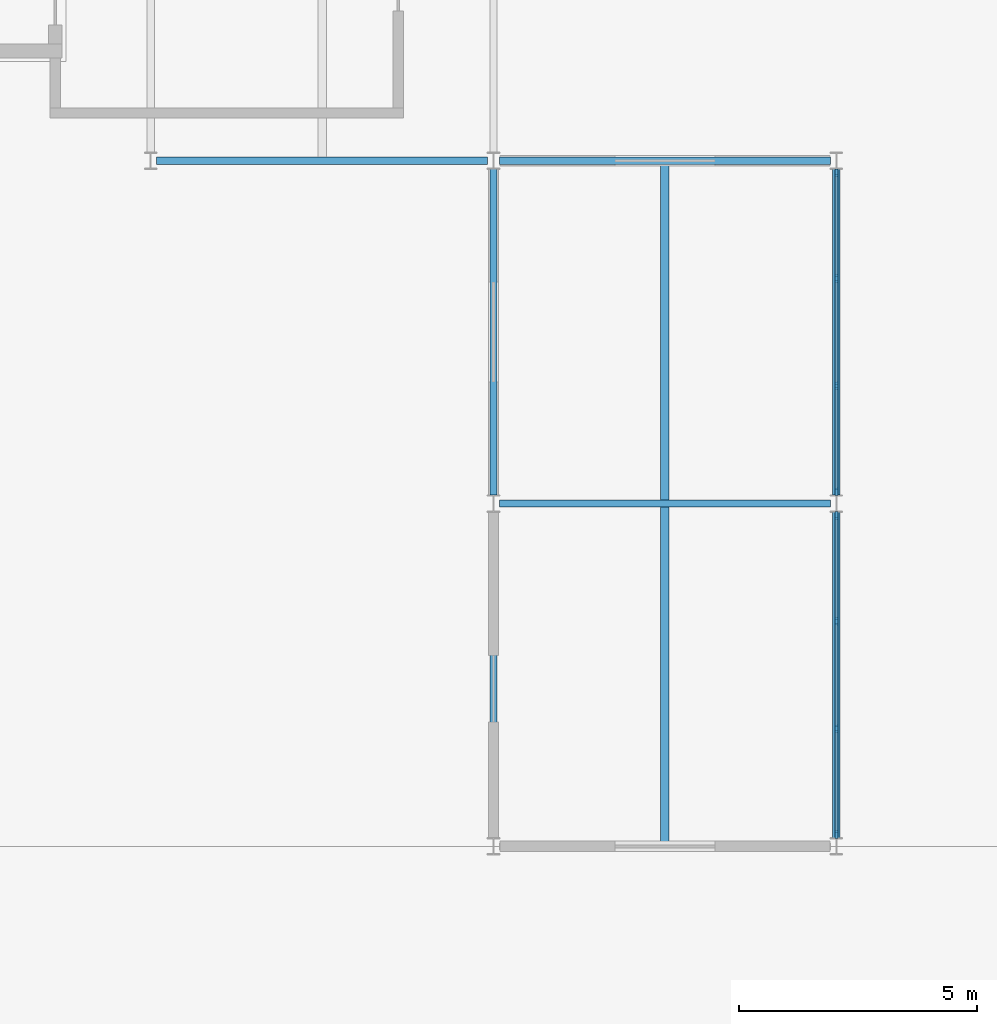
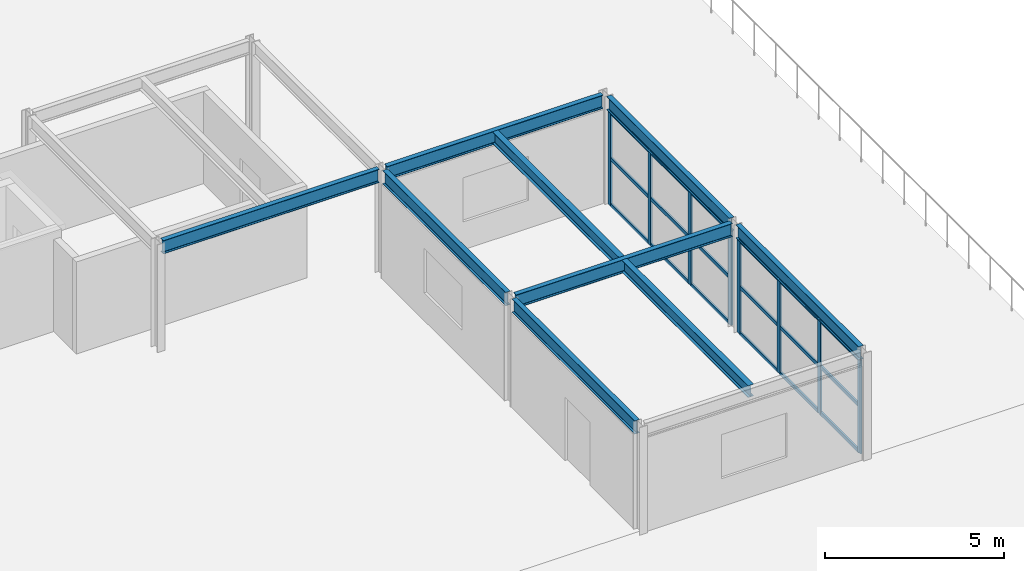
# One storey, part 24 of 52: 26 members, 9 beams, 2 elements without a shape of their own.
"""IFC4 building model written with IfcOpenShell, lengths in metres."""

from ifc_helpers import new_model, si_unit, direction, frame, origin, origin_2d, place, context, subcontext, project, spatial, rectangle, i_section, extrude, material, material_profile, profile_set, type_object, element, aggregate, save


model = new_model("IFC4")

# Units and contexts
model_context = context("Model", 3, precision=1e-05, world=origin(), true_north=direction((0.0, 1.0)))
body_context = subcontext(model_context, "Body", "Model", "MODEL_VIEW")
ifc_project = project(units=[si_unit("LENGTHUNIT", "METRE"), si_unit("AREAUNIT", "SQUARE_METRE"), si_unit("VOLUMEUNIT", "CUBIC_METRE"), si_unit("PLANEANGLEUNIT", "RADIAN"), si_unit("MASSUNIT", "GRAM", prefix="KILO")], contexts=[model_context])

# Site, building, storey
site_placement = place(None, origin())
site = spatial("IfcSite", under=ifc_project, at=site_placement, CompositionType="ELEMENT")
building_placement = place(site_placement, origin())
building = spatial("IfcBuilding", under=site, at=building_placement, Name="Vaelcorin Mobility Hub", CompositionType="ELEMENT")
storey_placement = place(building_placement, frame((0.0, 0.0, 13.199951171875)))
storey = spatial("IfcBuildingStorey", under=building, at=storey_placement, Name="L03", CompositionType="ELEMENT", Elevation=13.199951171875)

# Beams
ifc_material_1 = material(Name="Steel ASTM A992 Grade 50", Category="steel")
ifc_material_profile_1 = material_profile(ifc_material_1, i_section(OverallWidth=0.177978515625, OverallDepth=0.404052734375, WebThickness=0.007568359375, FlangeThickness=0.010986328125, FilletRadius=0.012939453125, at=origin_2d()), Name="W16X36")
ifc_profile_set_1 = profile_set([ifc_material_profile_1], Name="Steel ASTM A992 Grade 50")
beam_type_1 = type_object("IfcBeamType", Name="BM-W16X36", PredefinedType="JOIST", material=ifc_profile_set_1)
for number, where, z_axis, x_axis, name in (
    (1, (178.800048828125, 84.073974609375, 3.4580078125), (0.0, 1.0, 0.0), (-1.0, 0.0, 0.0), "L03 Beam V5GPAVN-L03-J-01-01-1"),
    (2, (178.800048828125, 91.27392578125, 3.4580078125), (0.0, 1.0, 0.0), (-1.0, 0.0, 0.0), "L03 Beam V5GPAVN-L03-J-01-02-1"),
):
    element("IfcBeam", number, at=place(storey_placement, frame(where, z_axis=z_axis, x_axis=x_axis)), inside=storey, type_object=beam_type_1, Name=name, PredefinedType="JOIST", context=body_context, shape_type="SweptSolid", body=[
        extrude(i_section(OverallWidth=0.177978515625, OverallDepth=0.404052734375, WebThickness=0.007568359375, FlangeThickness=0.010986328125, FilletRadius=0.012939453125, at=origin_2d()), origin(), (0.0, 0.0, 1.0), 7.052001953125),
    ])
ifc_material_profile_2 = material_profile(ifc_material_1, i_section(OverallWidth=0.152099609375, OverallDepth=0.455078125, WebThickness=0.008056640625, FlangeThickness=0.01318359375, FilletRadius=0.012939453125, at=origin_2d()), Name="W18X40")
ifc_profile_set_2 = profile_set([ifc_material_profile_2], Name="Steel ASTM A992 Grade 50")
beam_type_2 = type_object("IfcBeamType", Name="BM-W18X40", PredefinedType="JOIST", material=ifc_profile_set_2)
for number, where, z_axis, x_axis, name in (
    (3, (175.324951171875, 91.199951171875, 3.43212890625), (1.0, 0.0, 0.0), (0.0, 1.0, 0.0), "L03 Beam V5GPAVN-L03-GX-02-01"),
    (4, (175.324951171875, 98.39990234375, 3.43212890625), (1.0, 0.0, 0.0), (0.0, 1.0, 0.0), "L03 Beam V5GPAVN-L03-GX-03-01"),
):
    element("IfcBeam", number, at=place(storey_placement, frame(where, z_axis=z_axis, x_axis=x_axis)), inside=storey, type_object=beam_type_2, Name=name, PredefinedType="JOIST", context=body_context, shape_type="SweptSolid", body=[
        extrude(i_section(OverallWidth=0.152099609375, OverallDepth=0.455078125, WebThickness=0.008056640625, FlangeThickness=0.01318359375, FilletRadius=0.012939453125, at=origin_2d()), origin(), (0.0, 0.0, 1.0), 6.949951171875),
    ])
beam_1_placement = place(storey_placement, frame((175.199951171875, 84.176025390625, 3.43212890625), z_axis=(0.0, 1.0, 0.0), x_axis=(-1.0, 0.0, 0.0)))
element("IfcBeam", 5, at=beam_1_placement, inside=storey, type_object=beam_type_2, Name="L03 Beam V5GPAVN-L03-GY-01-01", PredefinedType="JOIST", context=body_context, shape_type="SweptSolid", body=[
    extrude(i_section(OverallWidth=0.152099609375, OverallDepth=0.455078125, WebThickness=0.008056640625, FlangeThickness=0.01318359375, FilletRadius=0.012939453125, at=origin_2d()), origin(), (0.0, 0.0, 1.0), 6.847900390625),
])
beam_2_placement = place(storey_placement, frame((175.199951171875, 91.3759765625, 3.43212890625), z_axis=(0.0, 1.0, 0.0), x_axis=(-1.0, 0.0, 0.0)))
element("IfcBeam", 6, at=beam_2_placement, inside=storey, type_object=beam_type_2, Name="L03 Beam V5GPAVN-L03-GY-01-02", PredefinedType="JOIST", context=body_context, shape_type="SweptSolid", body=[
    extrude(i_section(OverallWidth=0.152099609375, OverallDepth=0.455078125, WebThickness=0.008056640625, FlangeThickness=0.01318359375, FilletRadius=0.012939453125, at=origin_2d()), origin(), (0.0, 0.0, 1.0), 6.84814453125),
])
beam_3_placement = place(storey_placement, frame((182.39990234375, 84.176025390625, 3.43212890625), z_axis=(0.0, 1.0, 0.0), x_axis=(-1.0, 0.0, 0.0)))
element("IfcBeam", 7, at=beam_3_placement, inside=storey, type_object=beam_type_2, Name="L03 Beam V5GPAVN-L03-GY-02-01", PredefinedType="JOIST", context=body_context, shape_type="SweptSolid", body=[
    extrude(i_section(OverallWidth=0.152099609375, OverallDepth=0.455078125, WebThickness=0.008056640625, FlangeThickness=0.01318359375, FilletRadius=0.012939453125, at=origin_2d()), origin(), (0.0, 0.0, 1.0), 6.847900390625),
])
beam_4_placement = place(storey_placement, frame((182.39990234375, 91.3759765625, 3.43212890625), z_axis=(0.0, 1.0, 0.0), x_axis=(-1.0, 0.0, 0.0)))
element("IfcBeam", 8, at=beam_4_placement, inside=storey, type_object=beam_type_2, Name="L03 Beam V5GPAVN-L03-GY-02-02", PredefinedType="JOIST", context=body_context, shape_type="SweptSolid", body=[
    extrude(i_section(OverallWidth=0.152099609375, OverallDepth=0.455078125, WebThickness=0.008056640625, FlangeThickness=0.01318359375, FilletRadius=0.012939453125, at=origin_2d()), origin(), (0.0, 0.0, 1.0), 6.84814453125),
])
beam_5_placement = place(storey_placement, frame((168.125, 98.39990234375, 3.43212890625), z_axis=(1.0, 0.0, 0.0), x_axis=(0.0, 1.0, 0.0)))
element("IfcBeam", 9, at=beam_5_placement, inside=storey, type_object=beam_type_2, Name="L03 Beam V5LL6-L03-GX-01-01", PredefinedType="JOIST", context=body_context, shape_type="SweptSolid", body=[
    extrude(i_section(OverallWidth=0.152099609375, OverallDepth=0.455078125, WebThickness=0.008056640625, FlangeThickness=0.01318359375, FilletRadius=0.012939453125, at=origin_2d()), origin(), (0.0, 0.0, 1.0), 6.949951171875),
])

# Curtain wall, members
ifc_material_2 = material(Name="Anodised aluminium 6063-T6", Category="aluminium")
curtain_wall_type = type_object("IfcCurtainWallType", Name="CW-MOB-A", PredefinedType="NOTDEFINED", material=ifc_material_2)
curtain_wall_1_placement = place(storey_placement, origin())
curtain_wall_1 = element("IfcCurtainWall", 10, at=curtain_wall_1_placement, inside=storey, type_object=curtain_wall_type, Name="L03 Curtain Wall CW-L03-GPAVN-E-1", PredefinedType="NOTDEFINED")
ifc_material_profile_3 = material_profile(ifc_material_2, rectangle(XDim=0.06005859375, YDim=0.159912109375, at=origin_2d()), Name="ALU-M60X160")
ifc_profile_set_3 = profile_set([ifc_material_profile_3], Name="Anodised aluminium 6063-T6")
member_type_1 = type_object("IfcMemberType", Name="CW-MULL-160", PredefinedType="MULLION", material=ifc_profile_set_3)
member_1_placement = place(storey_placement, frame((182.39990234375, 90.949951171875, 0.0), z_axis=(0.0, 0.0, 1.0), x_axis=(1.0, 0.0, 0.0)))
member_1 = element("IfcMember", 11, at=member_1_placement, type_object=member_type_1, Name="CW7 mullion 1", PredefinedType="MULLION", context=body_context, shape_type="SweptSolid", body=[
    extrude(rectangle(XDim=0.06005859375, YDim=0.159912109375, at=origin_2d()), origin(), (0.0, 0.0, 1.0), 3.18994140625),
])
member_2_placement = place(storey_placement, frame((182.39990234375, 88.7265625, 0.0), z_axis=(0.0, 0.0, 1.0), x_axis=(1.0, 0.0, 0.0)))
member_2 = element("IfcMember", 12, at=member_2_placement, type_object=member_type_1, Name="CW7 mullion 2", PredefinedType="MULLION", context=body_context, shape_type="SweptSolid", body=[
    extrude(rectangle(XDim=0.06005859375, YDim=0.159912109375, at=origin_2d()), origin(), (0.0, 0.0, 1.0), 3.18994140625),
])
member_3_placement = place(storey_placement, frame((182.39990234375, 86.473388671875, 0.0), z_axis=(0.0, 0.0, 1.0), x_axis=(1.0, 0.0, 0.0)))
member_3 = element("IfcMember", 13, at=member_3_placement, type_object=member_type_1, Name="CW7 mullion 3", PredefinedType="MULLION", context=body_context, shape_type="SweptSolid", body=[
    extrude(rectangle(XDim=0.06005859375, YDim=0.159912109375, at=origin_2d()), origin(), (0.0, 0.0, 1.0), 3.18994140625),
])
member_4_placement = place(storey_placement, frame((182.39990234375, 84.25, 0.0), z_axis=(0.0, 0.0, 1.0), x_axis=(1.0, 0.0, 0.0)))
member_4 = element("IfcMember", 14, at=member_4_placement, type_object=member_type_1, Name="CW7 mullion 4", PredefinedType="MULLION", context=body_context, shape_type="SweptSolid", body=[
    extrude(rectangle(XDim=0.06005859375, YDim=0.159912109375, at=origin_2d()), origin(), (0.0, 0.0, 1.0), 3.18994140625),
])

curtain_wall_2_placement = place(storey_placement, origin())
curtain_wall_2 = element("IfcCurtainWall", 15, at=curtain_wall_2_placement, inside=storey, type_object=curtain_wall_type, Name="L03 Curtain Wall CW-L03-GPAVN-E-2", PredefinedType="NOTDEFINED")
member_5_placement = place(storey_placement, frame((182.39990234375, 98.14990234375, 0.0), z_axis=(0.0, 0.0, 1.0), x_axis=(1.0, 0.0, 0.0)))
member_5 = element("IfcMember", 16, at=member_5_placement, type_object=member_type_1, Name="CW7 mullion 1", PredefinedType="MULLION", context=body_context, shape_type="SweptSolid", body=[
    extrude(rectangle(XDim=0.06005859375, YDim=0.159912109375, at=origin_2d()), origin(), (0.0, 0.0, 1.0), 3.18994140625),
])
member_6_placement = place(storey_placement, frame((182.39990234375, 95.9267578125, 0.0), z_axis=(0.0, 0.0, 1.0), x_axis=(1.0, 0.0, 0.0)))
member_6 = element("IfcMember", 17, at=member_6_placement, type_object=member_type_1, Name="CW7 mullion 2", PredefinedType="MULLION", context=body_context, shape_type="SweptSolid", body=[
    extrude(rectangle(XDim=0.06005859375, YDim=0.159912109375, at=origin_2d()), origin(), (0.0, 0.0, 1.0), 3.18994140625),
])
member_7_placement = place(storey_placement, frame((182.39990234375, 93.67333984375, 0.0), z_axis=(0.0, 0.0, 1.0), x_axis=(1.0, 0.0, 0.0)))
member_7 = element("IfcMember", 18, at=member_7_placement, type_object=member_type_1, Name="CW7 mullion 3", PredefinedType="MULLION", context=body_context, shape_type="SweptSolid", body=[
    extrude(rectangle(XDim=0.06005859375, YDim=0.159912109375, at=origin_2d()), origin(), (0.0, 0.0, 1.0), 3.18994140625),
])
member_8_placement = place(storey_placement, frame((182.39990234375, 91.449951171875, 0.0), z_axis=(0.0, 0.0, 1.0), x_axis=(1.0, 0.0, 0.0)))
member_8 = element("IfcMember", 19, at=member_8_placement, type_object=member_type_1, Name="CW7 mullion 4", PredefinedType="MULLION", context=body_context, shape_type="SweptSolid", body=[
    extrude(rectangle(XDim=0.06005859375, YDim=0.159912109375, at=origin_2d()), origin(), (0.0, 0.0, 1.0), 3.18994140625),
])

# Member
ifc_material_profile_4 = material_profile(ifc_material_2, rectangle(XDim=0.06005859375, YDim=0.1201171875, at=origin_2d()), Name="ALU-T60X120")
ifc_profile_set_4 = profile_set([ifc_material_profile_4], Name="Anodised aluminium 6063-T6")
member_type_2 = type_object("IfcMemberType", Name="CW-TRAN-140", PredefinedType="USERDEFINED", material=ifc_profile_set_4)
member_9_placement = place(storey_placement, frame((182.39990234375, 90.919921875, 0.030029296875), z_axis=(0.0, -1.0, 0.0), x_axis=(1.0, 0.0, 0.0)))
member_9 = element("IfcMember", 20, at=member_9_placement, type_object=member_type_2, Name="CW7 transom 1.1", ObjectType="TRANSOM", PredefinedType="USERDEFINED", context=body_context, shape_type="SweptSolid", body=[
    extrude(rectangle(XDim=0.06005859375, YDim=0.1201171875, at=origin_2d()), origin(), (0.0, 0.0, 1.0), 2.163330078125),
])

member_10_placement = place(storey_placement, frame((182.39990234375, 90.919921875, 1.594970703125), z_axis=(0.0, -1.0, 0.0), x_axis=(1.0, 0.0, 0.0)))
member_10 = element("IfcMember", 21, at=member_10_placement, type_object=member_type_2, Name="CW7 transom 1.2", ObjectType="TRANSOM", PredefinedType="USERDEFINED", context=body_context, shape_type="SweptSolid", body=[
    extrude(rectangle(XDim=0.06005859375, YDim=0.1201171875, at=origin_2d()), origin(), (0.0, 0.0, 1.0), 2.163330078125),
])

member_11_placement = place(storey_placement, frame((182.39990234375, 90.919921875, 3.16015625), z_axis=(0.0, -1.0, 0.0), x_axis=(1.0, 0.0, 0.0)))
member_11 = element("IfcMember", 22, at=member_11_placement, type_object=member_type_2, Name="CW7 transom 1.3", ObjectType="TRANSOM", PredefinedType="USERDEFINED", context=body_context, shape_type="SweptSolid", body=[
    extrude(rectangle(XDim=0.06005859375, YDim=0.1201171875, at=origin_2d()), origin(), (0.0, 0.0, 1.0), 2.163330078125),
])

member_12_placement = place(storey_placement, frame((182.39990234375, 88.69677734375, 0.030029296875), z_axis=(0.0, -1.0, 0.0), x_axis=(1.0, 0.0, 0.0)))
member_12 = element("IfcMember", 23, at=member_12_placement, type_object=member_type_2, Name="CW7 transom 2.1", ObjectType="TRANSOM", PredefinedType="USERDEFINED", context=body_context, shape_type="SweptSolid", body=[
    extrude(rectangle(XDim=0.06005859375, YDim=0.1201171875, at=origin_2d()), origin(), (0.0, 0.0, 1.0), 2.193359375),
])

member_13_placement = place(storey_placement, frame((182.39990234375, 88.69677734375, 1.594970703125), z_axis=(0.0, -1.0, 0.0), x_axis=(1.0, 0.0, 0.0)))
member_13 = element("IfcMember", 24, at=member_13_placement, type_object=member_type_2, Name="CW7 transom 2.2", ObjectType="TRANSOM", PredefinedType="USERDEFINED", context=body_context, shape_type="SweptSolid", body=[
    extrude(rectangle(XDim=0.06005859375, YDim=0.1201171875, at=origin_2d()), origin(), (0.0, 0.0, 1.0), 2.193359375),
])

member_14_placement = place(storey_placement, frame((182.39990234375, 88.69677734375, 3.16015625), z_axis=(0.0, -1.0, 0.0), x_axis=(1.0, 0.0, 0.0)))
member_14 = element("IfcMember", 25, at=member_14_placement, type_object=member_type_2, Name="CW7 transom 2.3", ObjectType="TRANSOM", PredefinedType="USERDEFINED", context=body_context, shape_type="SweptSolid", body=[
    extrude(rectangle(XDim=0.06005859375, YDim=0.1201171875, at=origin_2d()), origin(), (0.0, 0.0, 1.0), 2.193359375),
])

member_15_placement = place(storey_placement, frame((182.39990234375, 86.443359375, 0.030029296875), z_axis=(0.0, -1.0, 0.0), x_axis=(1.0, 0.0, 0.0)))
member_15 = element("IfcMember", 26, at=member_15_placement, type_object=member_type_2, Name="CW7 transom 3.1", ObjectType="TRANSOM", PredefinedType="USERDEFINED", context=body_context, shape_type="SweptSolid", body=[
    extrude(rectangle(XDim=0.06005859375, YDim=0.1201171875, at=origin_2d()), origin(), (0.0, 0.0, 1.0), 2.163330078125),
])

member_16_placement = place(storey_placement, frame((182.39990234375, 86.443359375, 1.594970703125), z_axis=(0.0, -1.0, 0.0), x_axis=(1.0, 0.0, 0.0)))
member_16 = element("IfcMember", 27, at=member_16_placement, type_object=member_type_2, Name="CW7 transom 3.2", ObjectType="TRANSOM", PredefinedType="USERDEFINED", context=body_context, shape_type="SweptSolid", body=[
    extrude(rectangle(XDim=0.06005859375, YDim=0.1201171875, at=origin_2d()), origin(), (0.0, 0.0, 1.0), 2.163330078125),
])

member_17_placement = place(storey_placement, frame((182.39990234375, 86.443359375, 3.16015625), z_axis=(0.0, -1.0, 0.0), x_axis=(1.0, 0.0, 0.0)))
member_17 = element("IfcMember", 28, at=member_17_placement, type_object=member_type_2, Name="CW7 transom 3.3", ObjectType="TRANSOM", PredefinedType="USERDEFINED", context=body_context, shape_type="SweptSolid", body=[
    extrude(rectangle(XDim=0.06005859375, YDim=0.1201171875, at=origin_2d()), origin(), (0.0, 0.0, 1.0), 2.163330078125),
])

aggregate(curtain_wall_1, [member_1, member_2, member_3, member_4, member_9, member_10, member_11, member_12, member_13, member_14, member_15, member_16, member_17])

member_18_placement = place(storey_placement, frame((182.39990234375, 98.1201171875, 0.030029296875), z_axis=(0.0, -1.0, 0.0), x_axis=(1.0, 0.0, 0.0)))
member_18 = element("IfcMember", 29, at=member_18_placement, type_object=member_type_2, Name="CW7 transom 1.1", ObjectType="TRANSOM", PredefinedType="USERDEFINED", context=body_context, shape_type="SweptSolid", body=[
    extrude(rectangle(XDim=0.06005859375, YDim=0.1201171875, at=origin_2d()), origin(), (0.0, 0.0, 1.0), 2.163330078125),
])

member_19_placement = place(storey_placement, frame((182.39990234375, 98.1201171875, 1.594970703125), z_axis=(0.0, -1.0, 0.0), x_axis=(1.0, 0.0, 0.0)))
member_19 = element("IfcMember", 30, at=member_19_placement, type_object=member_type_2, Name="CW7 transom 1.2", ObjectType="TRANSOM", PredefinedType="USERDEFINED", context=body_context, shape_type="SweptSolid", body=[
    extrude(rectangle(XDim=0.06005859375, YDim=0.1201171875, at=origin_2d()), origin(), (0.0, 0.0, 1.0), 2.163330078125),
])

member_20_placement = place(storey_placement, frame((182.39990234375, 98.1201171875, 3.16015625), z_axis=(0.0, -1.0, 0.0), x_axis=(1.0, 0.0, 0.0)))
member_20 = element("IfcMember", 31, at=member_20_placement, type_object=member_type_2, Name="CW7 transom 1.3", ObjectType="TRANSOM", PredefinedType="USERDEFINED", context=body_context, shape_type="SweptSolid", body=[
    extrude(rectangle(XDim=0.06005859375, YDim=0.1201171875, at=origin_2d()), origin(), (0.0, 0.0, 1.0), 2.163330078125),
])

member_21_placement = place(storey_placement, frame((182.39990234375, 95.896728515625, 0.030029296875), z_axis=(0.0, -1.0, 0.0), x_axis=(1.0, 0.0, 0.0)))
member_21 = element("IfcMember", 32, at=member_21_placement, type_object=member_type_2, Name="CW7 transom 2.1", ObjectType="TRANSOM", PredefinedType="USERDEFINED", context=body_context, shape_type="SweptSolid", body=[
    extrude(rectangle(XDim=0.06005859375, YDim=0.1201171875, at=origin_2d()), origin(), (0.0, 0.0, 1.0), 2.193359375),
])

member_22_placement = place(storey_placement, frame((182.39990234375, 95.896728515625, 1.594970703125), z_axis=(0.0, -1.0, 0.0), x_axis=(1.0, 0.0, 0.0)))
member_22 = element("IfcMember", 33, at=member_22_placement, type_object=member_type_2, Name="CW7 transom 2.2", ObjectType="TRANSOM", PredefinedType="USERDEFINED", context=body_context, shape_type="SweptSolid", body=[
    extrude(rectangle(XDim=0.06005859375, YDim=0.1201171875, at=origin_2d()), origin(), (0.0, 0.0, 1.0), 2.193359375),
])

member_23_placement = place(storey_placement, frame((182.39990234375, 95.896728515625, 3.16015625), z_axis=(0.0, -1.0, 0.0), x_axis=(1.0, 0.0, 0.0)))
member_23 = element("IfcMember", 34, at=member_23_placement, type_object=member_type_2, Name="CW7 transom 2.3", ObjectType="TRANSOM", PredefinedType="USERDEFINED", context=body_context, shape_type="SweptSolid", body=[
    extrude(rectangle(XDim=0.06005859375, YDim=0.1201171875, at=origin_2d()), origin(), (0.0, 0.0, 1.0), 2.193359375),
])

member_24_placement = place(storey_placement, frame((182.39990234375, 93.643310546875, 0.030029296875), z_axis=(0.0, -1.0, 0.0), x_axis=(1.0, 0.0, 0.0)))
member_24 = element("IfcMember", 35, at=member_24_placement, type_object=member_type_2, Name="CW7 transom 3.1", ObjectType="TRANSOM", PredefinedType="USERDEFINED", context=body_context, shape_type="SweptSolid", body=[
    extrude(rectangle(XDim=0.06005859375, YDim=0.1201171875, at=origin_2d()), origin(), (0.0, 0.0, 1.0), 2.163330078125),
])

member_25_placement = place(storey_placement, frame((182.39990234375, 93.643310546875, 1.594970703125), z_axis=(0.0, -1.0, 0.0), x_axis=(1.0, 0.0, 0.0)))
member_25 = element("IfcMember", 36, at=member_25_placement, type_object=member_type_2, Name="CW7 transom 3.2", ObjectType="TRANSOM", PredefinedType="USERDEFINED", context=body_context, shape_type="SweptSolid", body=[
    extrude(rectangle(XDim=0.06005859375, YDim=0.1201171875, at=origin_2d()), origin(), (0.0, 0.0, 1.0), 2.163330078125),
])

member_26_placement = place(storey_placement, frame((182.39990234375, 93.643310546875, 3.16015625), z_axis=(0.0, -1.0, 0.0), x_axis=(1.0, 0.0, 0.0)))
member_26 = element("IfcMember", 37, at=member_26_placement, type_object=member_type_2, Name="CW7 transom 3.3", ObjectType="TRANSOM", PredefinedType="USERDEFINED", context=body_context, shape_type="SweptSolid", body=[
    extrude(rectangle(XDim=0.06005859375, YDim=0.1201171875, at=origin_2d()), origin(), (0.0, 0.0, 1.0), 2.163330078125),
])

aggregate(curtain_wall_2, [member_5, member_6, member_7, member_8, member_18, member_19, member_20, member_21, member_22, member_23, member_24, member_25, member_26])

save(model, "model.ifc")
